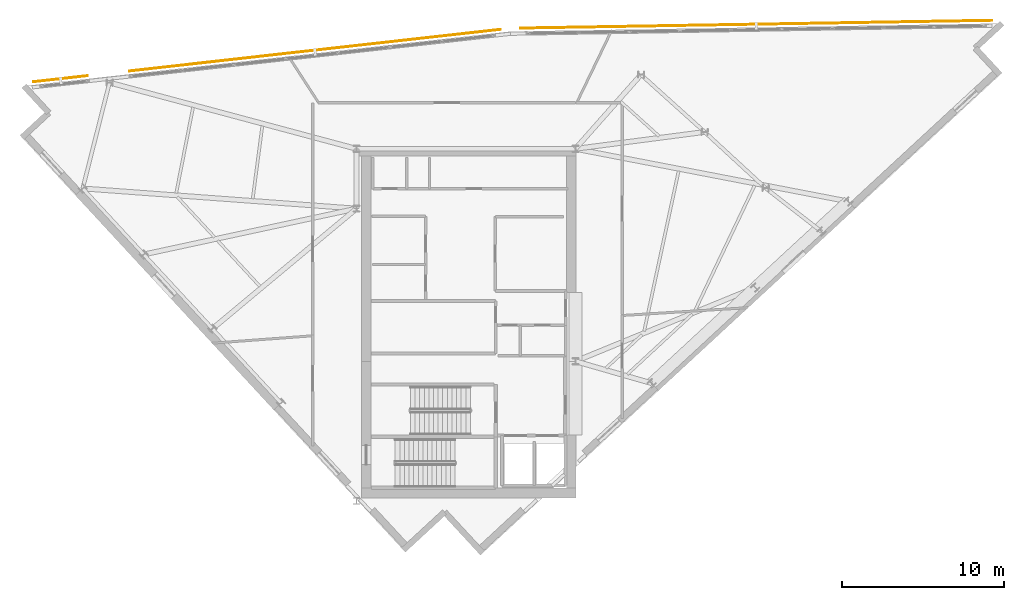
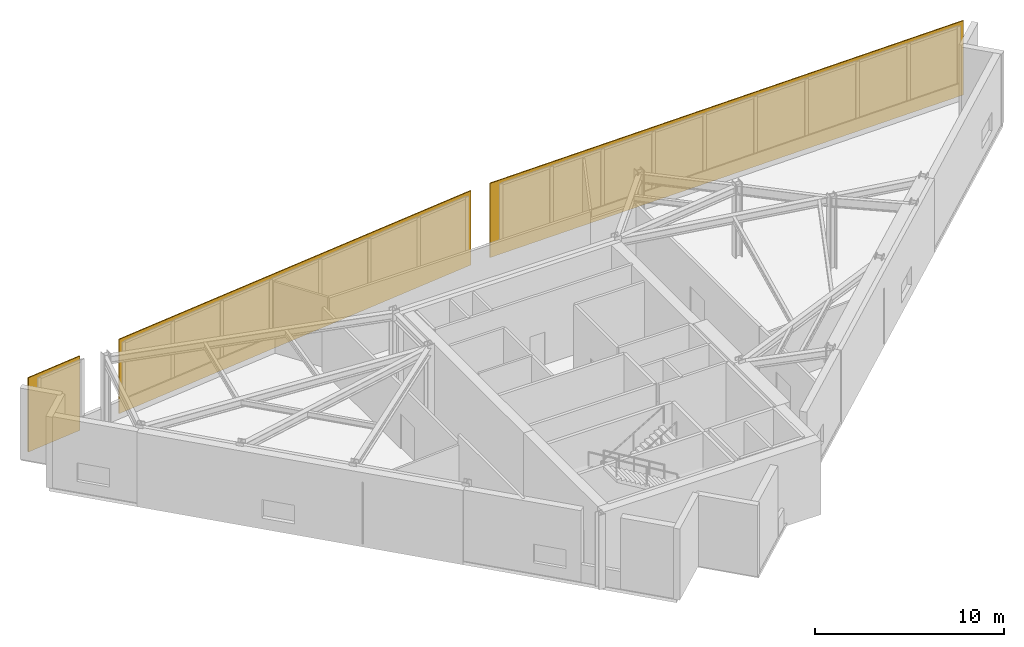
# One storey, part 12 of 12: 3 shading devices.
"""IFC4 building model written with IfcOpenShell, lengths in metres."""

from ifc_helpers import new_model, si_unit, direction, frame, origin, origin_2d, place, context, subcontext, project, spatial, rectangle, extrude, material, layer, layer_set, type_object, element, save


model = new_model("IFC4")

# Units and contexts
model_context = context("Model", 3, precision=1e-05, world=origin(), true_north=direction((0.0, 1.0)))
body_context = subcontext(model_context, "Body", "Model", "MODEL_VIEW")
ifc_project = project(units=[si_unit("LENGTHUNIT", "METRE"), si_unit("AREAUNIT", "SQUARE_METRE"), si_unit("VOLUMEUNIT", "CUBIC_METRE"), si_unit("PLANEANGLEUNIT", "RADIAN"), si_unit("MASSUNIT", "GRAM", prefix="KILO")], contexts=[model_context])

# Site, building, storey
site_placement = place(None, origin())
site = spatial("IfcSite", under=ifc_project, at=site_placement, CompositionType="ELEMENT")
building_placement = place(site_placement, origin())
building = spatial("IfcBuilding", under=site, at=building_placement, Name="Narakoshi Arena Tower", CompositionType="ELEMENT")
storey_placement = place(building_placement, frame((0.0, 0.0, 302.97998046875)))
storey = spatial("IfcBuildingStorey", under=building, at=storey_placement, Name="L82", CompositionType="ELEMENT", Elevation=302.97998046875)

# Shading devices
ifc_material = material(Name="Perforated bronze ceramic-metal composite")
ifc_layer = layer(ifc_material, 0.06005859375)
ifc_layer_set = layer_set([ifc_layer], Name="Perforated bronze ceramic-metal composite")
shading_device_type = type_object("IfcShadingDeviceType", Name="SHD-SCR-BRZ2", PredefinedType="USERDEFINED", material=ifc_layer_set)
shading_device_1_placement = place(storey_placement, frame((53.687744140625, 60.83203125, 0.0), z_axis=(0.0, 0.0, 1.0), x_axis=(0.993775698738, 0.111399553846, 0.0)))
element("IfcShadingDevice", 1, at=shading_device_1_placement, inside=storey, type_object=shading_device_type, Name="L82 Slanted-Cut Crown Bronze Screen 5-1", ObjectType="SOLAR SCREEN", PredefinedType="USERDEFINED", context=body_context, shape_type="SweptSolid", body=[
    extrude(rectangle(XDim=3.399658203125, YDim=0.06005859375, at=origin_2d()), origin(), (0.0, 0.0, 1.0), 4.800048828125),
])
shading_device_2_placement = place(storey_placement, frame((69.426025390625, 62.59619140625, 0.0), z_axis=(0.0, 0.0, 1.0), x_axis=(0.993775698738, 0.111399553846, 0.0)))
element("IfcShadingDevice", 2, at=shading_device_2_placement, inside=storey, type_object=shading_device_type, Name="L82 Slanted-Cut Crown Bronze Screen 5-2", ObjectType="SOLAR SCREEN", PredefinedType="USERDEFINED", context=body_context, shape_type="SweptSolid", body=[
    extrude(rectangle(XDim=23.134521484375, YDim=0.06005859375, at=origin_2d()), origin(), (0.0, 0.0, 1.0), 4.800048828125),
])
shading_device_3_placement = place(storey_placement, frame((96.74462890625, 64.202880859375, 0.0), z_axis=(0.0, 0.0, 1.0), x_axis=(0.999864849778, 0.016440260879, 0.0)))
element("IfcShadingDevice", 3, at=shading_device_3_placement, inside=storey, type_object=shading_device_type, Name="L82 Slanted-Cut Crown Bronze Screen 6-1", ObjectType="SOLAR SCREEN", PredefinedType="USERDEFINED", context=body_context, shape_type="SweptSolid", body=[
    extrude(rectangle(XDim=29.22216796875, YDim=0.06005859375, at=origin_2d()), origin(), (0.0, 0.0, 1.0), 4.800048828125),
])

save(model, "model.ifc")
